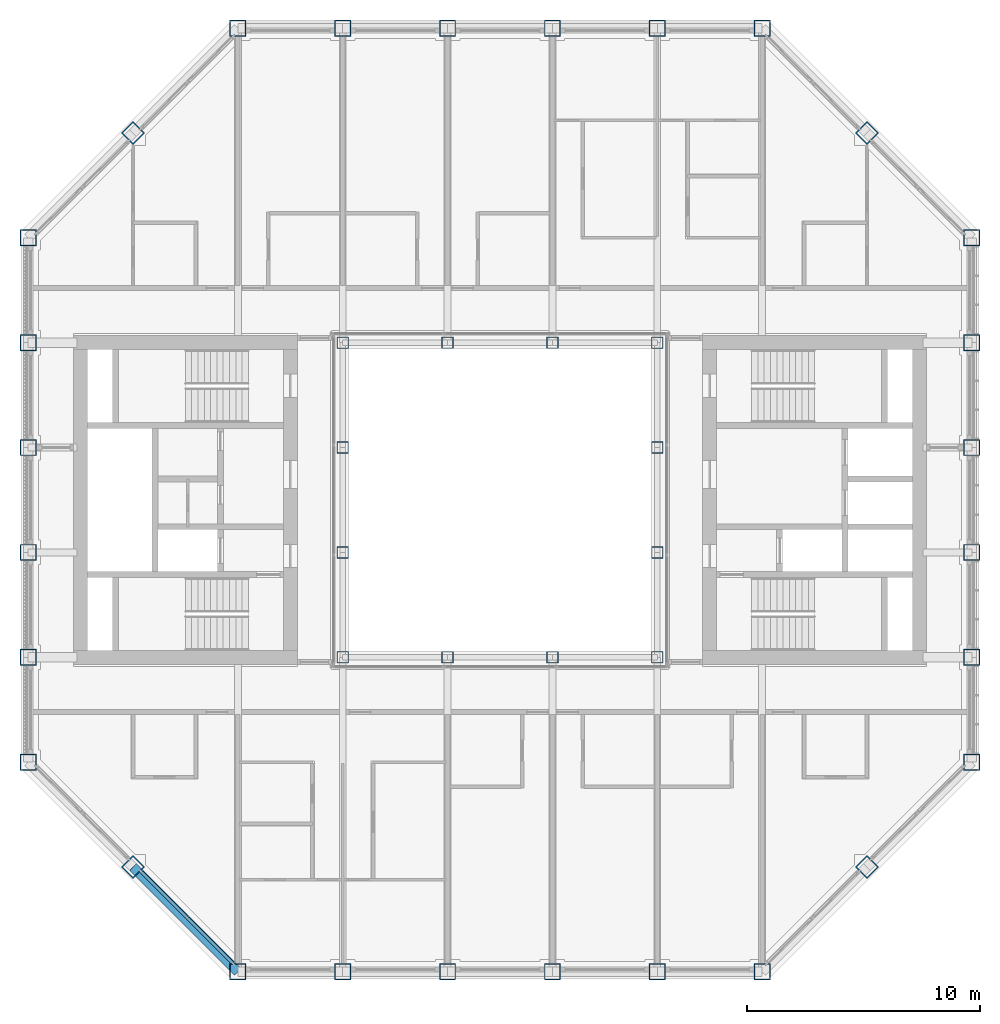
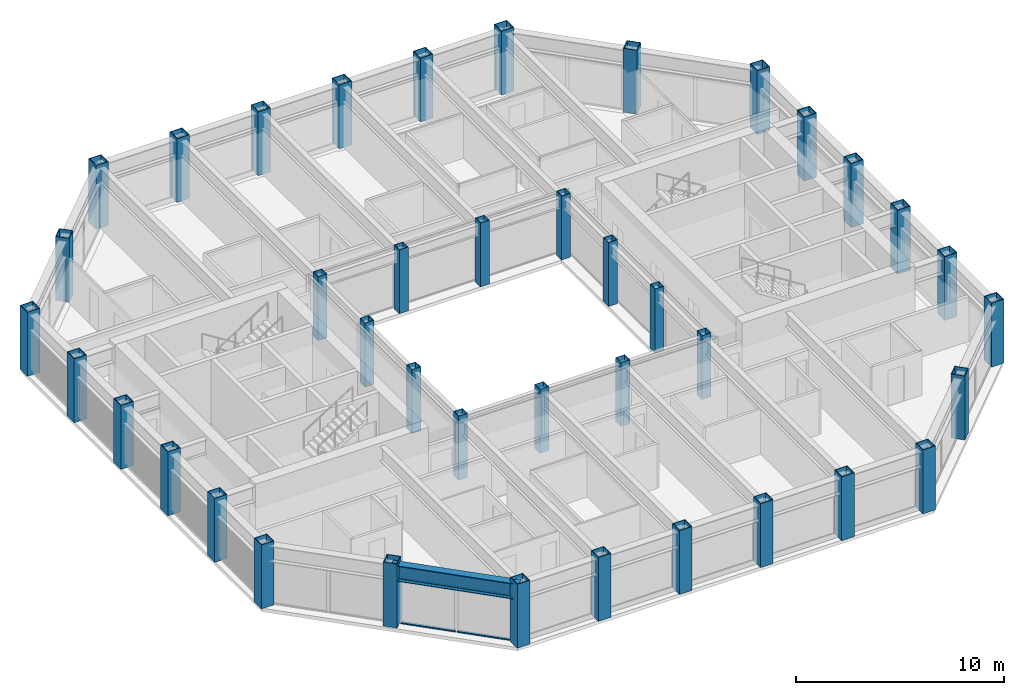
# One storey, part 1 of 18: 40 columns, 4 members, 1 beam, 1 element without a shape of its own.
"""IFC4 building model written with IfcOpenShell, lengths in metres."""

from ifc_helpers import new_model, si_unit, direction, frame, origin, origin_2d, place, context, subcontext, project, spatial, rectangle, hollow_rectangle, i_section, extrude, material, material_profile, profile_set, type_object, element, aggregate, save


model = new_model("IFC4")

# Units and contexts
model_context = context("Model", 3, precision=1e-05, world=origin(), true_north=direction((0.0, 1.0)))
body_context = subcontext(model_context, "Body", "Model", "MODEL_VIEW")
ifc_project = project(units=[si_unit("LENGTHUNIT", "METRE"), si_unit("AREAUNIT", "SQUARE_METRE"), si_unit("VOLUMEUNIT", "CUBIC_METRE"), si_unit("PLANEANGLEUNIT", "RADIAN"), si_unit("MASSUNIT", "GRAM", prefix="KILO")], contexts=[model_context])

# Site, building, storey
site_placement = place(None, origin())
site = spatial("IfcSite", under=ifc_project, at=site_placement, CompositionType="ELEMENT")
building_placement = place(site_placement, origin())
building = spatial("IfcBuilding", under=site, at=building_placement, Name="Msasa Ring Tower", CompositionType="ELEMENT")
storey_placement = place(building_placement, frame((0.0, 0.0, 230.800048828125)))
storey = spatial("IfcBuildingStorey", under=building, at=storey_placement, Name="L60", CompositionType="ELEMENT", Elevation=230.800048828125)

# Columns
ifc_material_1 = material(Name="Steel S355", Category="steel")
ifc_material_profile_1 = material_profile(ifc_material_1, hollow_rectangle(XDim=0.5, YDim=0.5, WallThickness=0.030029296875, at=origin_2d()), Name="BOX 500x500x30")
ifc_profile_set_1 = profile_set([ifc_material_profile_1], Name="Steel S355")
column_type_1 = type_object("IfcColumnType", Name="IC6 BOX 500x500x30", PredefinedType="COLUMN", material=ifc_profile_set_1)
for number, where, z_axis, x_axis, name in (
    (1, (-6.75, -6.75, 0.0), (0.0, 0.0, 1.0), (1.0, 0.0, 0.0), "Inner ring column IR-6.75-6.75 L60"),
    (2, (-6.75, -2.25, 0.0), (0.0, 0.0, 1.0), (1.0, 0.0, 0.0), "Inner ring column IR-6.75-2.25 L60"),
    (3, (-6.75, 2.25, 0.0), (0.0, 0.0, 1.0), (1.0, 0.0, 0.0), "Inner ring column IR-6.75+2.25 L60"),
    (4, (-6.75, 6.75, 0.0), (0.0, 0.0, 1.0), (1.0, 0.0, 0.0), "Inner ring column IR-6.75+6.75 L60"),
    (5, (-2.25, -6.75, 0.0), (0.0, 0.0, 1.0), (1.0, 0.0, 0.0), "Inner ring column IR-2.25-6.75 L60"),
    (6, (-2.25, 6.75, 0.0), (0.0, 0.0, 1.0), (1.0, 0.0, 0.0), "Inner ring column IR-2.25+6.75 L60"),
    (7, (2.25, -6.75, 0.0), (0.0, 0.0, 1.0), (1.0, 0.0, 0.0), "Inner ring column IR+2.25-6.75 L60"),
    (8, (2.25, 6.75, 0.0), (0.0, 0.0, 1.0), (1.0, 0.0, 0.0), "Inner ring column IR+2.25+6.75 L60"),
    (9, (6.75, -6.75, 0.0), (0.0, 0.0, 1.0), (1.0, 0.0, 0.0), "Inner ring column IR+6.75-6.75 L60"),
    (10, (6.75, -2.25, 0.0), (0.0, 0.0, 1.0), (1.0, 0.0, 0.0), "Inner ring column IR+6.75-2.25 L60"),
    (11, (6.75, 2.25, 0.0), (0.0, 0.0, 1.0), (1.0, 0.0, 0.0), "Inner ring column IR+6.75+2.25 L60"),
    (12, (6.75, 6.75, 0.0), (0.0, 0.0, 1.0), (1.0, 0.0, 0.0), "Inner ring column IR+6.75+6.75 L60"),
):
    element("IfcColumn", number, at=place(storey_placement, frame(where, z_axis=z_axis, x_axis=x_axis)), inside=storey, type_object=column_type_1, Name=name, PredefinedType="COLUMN", context=body_context, shape_type="SweptSolid", body=[
        extrude(hollow_rectangle(XDim=0.5, YDim=0.5, WallThickness=0.030029296875, at=origin_2d()), origin(), (0.0, 0.0, 1.0), 3.75),
    ])
ifc_material_2 = material(Name="Steel S355", Category="steel")
ifc_material_profile_2 = material_profile(ifc_material_2, hollow_rectangle(XDim=0.699951171875, YDim=0.699951171875, WallThickness=0.0400390625, at=origin_2d()), Name="BOX 700x700x40")
ifc_profile_set_2 = profile_set([ifc_material_profile_2], Name="Steel S355")
column_type_2 = type_object("IfcColumnType", Name="TC7 BOX 700x700x40", PredefinedType="COLUMN", material=ifc_profile_set_2)
for number, where, z_axis, x_axis, name in (
    (13, (-11.25, -20.25, 0.0), (0.0, 0.0, 1.0), (0.0, 1.0, 0.0), "Tube column S-11.25 L60"),
    (14, (-11.25, 20.25, 0.0), (0.0, 0.0, 1.0), (0.0, 1.0, 0.0), "Tube column N-11.25 L60"),
    (15, (20.25, -11.25, 0.0), (0.0, 0.0, 1.0), (1.0, 0.0, 0.0), "Tube column E-11.25 L60"),
    (16, (-20.25, -11.25, 0.0), (0.0, 0.0, 1.0), (1.0, 0.0, 0.0), "Tube column W-11.25 L60"),
    (17, (-6.75, -20.25, 0.0), (0.0, 0.0, 1.0), (0.0, 1.0, 0.0), "Tube column S-6.75 L60"),
    (18, (-6.75, 20.25, 0.0), (0.0, 0.0, 1.0), (0.0, 1.0, 0.0), "Tube column N-6.75 L60"),
    (19, (20.25, -6.75, 0.0), (0.0, 0.0, 1.0), (1.0, 0.0, 0.0), "Tube column E-6.75 L60"),
    (20, (-20.25, -6.75, 0.0), (0.0, 0.0, 1.0), (1.0, 0.0, 0.0), "Tube column W-6.75 L60"),
    (21, (-2.25, -20.25, 0.0), (0.0, 0.0, 1.0), (0.0, 1.0, 0.0), "Tube column S-2.25 L60"),
    (22, (-2.25, 20.25, 0.0), (0.0, 0.0, 1.0), (0.0, 1.0, 0.0), "Tube column N-2.25 L60"),
    (23, (20.25, -2.25, 0.0), (0.0, 0.0, 1.0), (1.0, 0.0, 0.0), "Tube column E-2.25 L60"),
    (24, (-20.25, -2.25, 0.0), (0.0, 0.0, 1.0), (1.0, 0.0, 0.0), "Tube column W-2.25 L60"),
    (25, (2.25, -20.25, 0.0), (0.0, 0.0, 1.0), (0.0, 1.0, 0.0), "Tube column S+2.25 L60"),
    (26, (2.25, 20.25, 0.0), (0.0, 0.0, 1.0), (0.0, 1.0, 0.0), "Tube column N+2.25 L60"),
    (27, (20.25, 2.25, 0.0), (0.0, 0.0, 1.0), (1.0, 0.0, 0.0), "Tube column E+2.25 L60"),
    (28, (-20.25, 2.25, 0.0), (0.0, 0.0, 1.0), (1.0, 0.0, 0.0), "Tube column W+2.25 L60"),
    (29, (6.75, -20.25, 0.0), (0.0, 0.0, 1.0), (0.0, 1.0, 0.0), "Tube column S+6.75 L60"),
    (30, (6.75, 20.25, 0.0), (0.0, 0.0, 1.0), (0.0, 1.0, 0.0), "Tube column N+6.75 L60"),
    (31, (20.25, 6.75, 0.0), (0.0, 0.0, 1.0), (1.0, 0.0, 0.0), "Tube column E+6.75 L60"),
    (32, (-20.25, 6.75, 0.0), (0.0, 0.0, 1.0), (1.0, 0.0, 0.0), "Tube column W+6.75 L60"),
    (33, (11.25, -20.25, 0.0), (0.0, 0.0, 1.0), (0.0, 1.0, 0.0), "Tube column S+11.25 L60"),
    (34, (11.25, 20.25, 0.0), (0.0, 0.0, 1.0), (0.0, 1.0, 0.0), "Tube column N+11.25 L60"),
    (35, (20.25, 11.25, 0.0), (0.0, 0.0, 1.0), (1.0, 0.0, 0.0), "Tube column E+11.25 L60"),
    (36, (-20.25, 11.25, 0.0), (0.0, 0.0, 1.0), (1.0, 0.0, 0.0), "Tube column W+11.25 L60"),
    (37, (15.75, -15.75, 0.0), (0.0, 0.0, 1.0), (0.707106781187, -0.707106781187, 0.0), "Tube column SE L60"),
    (38, (15.75, 15.75, 0.0), (0.0, 0.0, 1.0), (0.707106781187, 0.707106781187, 0.0), "Tube column NE L60"),
    (39, (-15.75, 15.75, 0.0), (0.0, 0.0, 1.0), (0.707106781187, -0.707106781187, 0.0), "Tube column NW L60"),
    (40, (-15.75, -15.75, 0.0), (0.0, 0.0, 1.0), (0.707106781187, 0.707106781187, 0.0), "Tube column SW L60"),
):
    element("IfcColumn", number, at=place(storey_placement, frame(where, z_axis=z_axis, x_axis=x_axis)), inside=storey, type_object=column_type_2, Name=name, PredefinedType="COLUMN", context=body_context, shape_type="SweptSolid", body=[
        extrude(hollow_rectangle(XDim=0.699951171875, YDim=0.699951171875, WallThickness=0.0400390625, at=origin_2d()), origin(), (0.0, 0.0, 1.0), 3.75),
    ])

# Curtain wall, members
ifc_material_3 = material(Name="Aluminium curtain wall with clear glass", Category="aluminium")
curtain_wall_type = type_object("IfcCurtainWallType", Name="CW-C CHAMFER CORNER CURTAIN WALL", PredefinedType="NOTDEFINED", material=ifc_material_3)
curtain_wall_placement = place(storey_placement, origin())
curtain_wall = element("IfcCurtainWall", 41, at=curtain_wall_placement, inside=storey, type_object=curtain_wall_type, Name="Chamfer corner curtain wall SW L60", PredefinedType="NOTDEFINED")
ifc_material_4 = material(Name="Aluminium transom", Category="aluminium")
ifc_material_profile_3 = material_profile(ifc_material_4, rectangle(XDim=0.139892578125, YDim=0.06494140625, at=origin_2d()), Name="AL 65x140")
ifc_profile_set_3 = profile_set([ifc_material_profile_3], Name="Aluminium transom")
member_type = type_object("IfcMemberType", Name="CW-C TRANSOM 65x140", PredefinedType="USERDEFINED", material=ifc_profile_set_3)
member_1_placement = place(storey_placement, frame((-15.38232421875, -15.976318359375, 0.032470703125), z_axis=(0.707106781187, -0.707106781187, 0.0), x_axis=(0.707106781187, 0.707106781187, 0.0)))
member_1 = element("IfcMember", 42, at=member_1_placement, type_object=member_type, Name="CW-C transom 1.1", ObjectType="TRANSOM", PredefinedType="USERDEFINED", context=body_context, shape_type="SweptSolid", body=[
    extrude(rectangle(XDim=0.139892578125, YDim=0.06494140625, at=origin_2d()), origin(), (0.0, 0.0, 1.0), 2.729248046875),
])
member_2_placement = place(storey_placement, frame((-15.38232421875, -15.976318359375, 2.596435546875), z_axis=(0.707106781187, -0.707106781187, 0.0), x_axis=(0.707106781187, 0.707106781187, 0.0)))
member_2 = element("IfcMember", 43, at=member_2_placement, type_object=member_type, Name="CW-C transom 1.2", ObjectType="TRANSOM", PredefinedType="USERDEFINED", context=body_context, shape_type="SweptSolid", body=[
    extrude(rectangle(XDim=0.139892578125, YDim=0.06494140625, at=origin_2d()), origin(), (0.0, 0.0, 1.0), 2.729248046875),
])
member_3_placement = place(storey_placement, frame((-13.40625, -17.952392578125, 0.032470703125), z_axis=(0.707106781187, -0.707106781187, 0.0), x_axis=(0.707106781187, 0.707106781187, 0.0)))
member_3 = element("IfcMember", 44, at=member_3_placement, type_object=member_type, Name="CW-C transom 2.1", ObjectType="TRANSOM", PredefinedType="USERDEFINED", context=body_context, shape_type="SweptSolid", body=[
    extrude(rectangle(XDim=0.139892578125, YDim=0.06494140625, at=origin_2d()), origin(), (0.0, 0.0, 1.0), 2.729248046875),
])
member_4_placement = place(storey_placement, frame((-13.40625, -17.952392578125, 2.596435546875), z_axis=(0.707106781187, -0.707106781187, 0.0), x_axis=(0.707106781187, 0.707106781187, 0.0)))
member_4 = element("IfcMember", 45, at=member_4_placement, type_object=member_type, Name="CW-C transom 2.2", ObjectType="TRANSOM", PredefinedType="USERDEFINED", context=body_context, shape_type="SweptSolid", body=[
    extrude(rectangle(XDim=0.139892578125, YDim=0.06494140625, at=origin_2d()), origin(), (0.0, 0.0, 1.0), 2.729248046875),
])
aggregate(curtain_wall, [member_1, member_2, member_3, member_4])

# Beam
ifc_material_5 = material(Name="Steel S355", Category="steel")
ifc_material_profile_4 = material_profile(ifc_material_5, i_section(OverallWidth=0.42041015625, OverallDepth=0.9208984375, WebThickness=0.021484375, FlangeThickness=0.03662109375, FilletRadius=0.024169921875, at=origin_2d()), Name="UB 914x419x388")
ifc_profile_set_4 = profile_set([ifc_material_profile_4], Name="Steel S355")
beam_type = type_object("IfcBeamType", Name="SB1 UB 914x419x388", PredefinedType="SPANDREL", material=ifc_profile_set_4)
beam_placement = place(storey_placement, frame((-15.75, -15.75, 3.08935546875), z_axis=(0.707106781187, -0.707106781187, 0.0), x_axis=(0.707106781187, 0.707106781187, 0.0)))
element("IfcBeam", 46, at=beam_placement, inside=storey, type_object=beam_type, Name="Spandrel SW to S-11.25 under L61", PredefinedType="SPANDREL", context=body_context, shape_type="SweptSolid", body=[
    extrude(i_section(OverallWidth=0.42041015625, OverallDepth=0.9208984375, WebThickness=0.021484375, FlangeThickness=0.03662109375, FilletRadius=0.024169921875, at=origin_2d()), origin(), (0.0, 0.0, 1.0), 6.364013671875),
])

save(model, "model.ifc")
